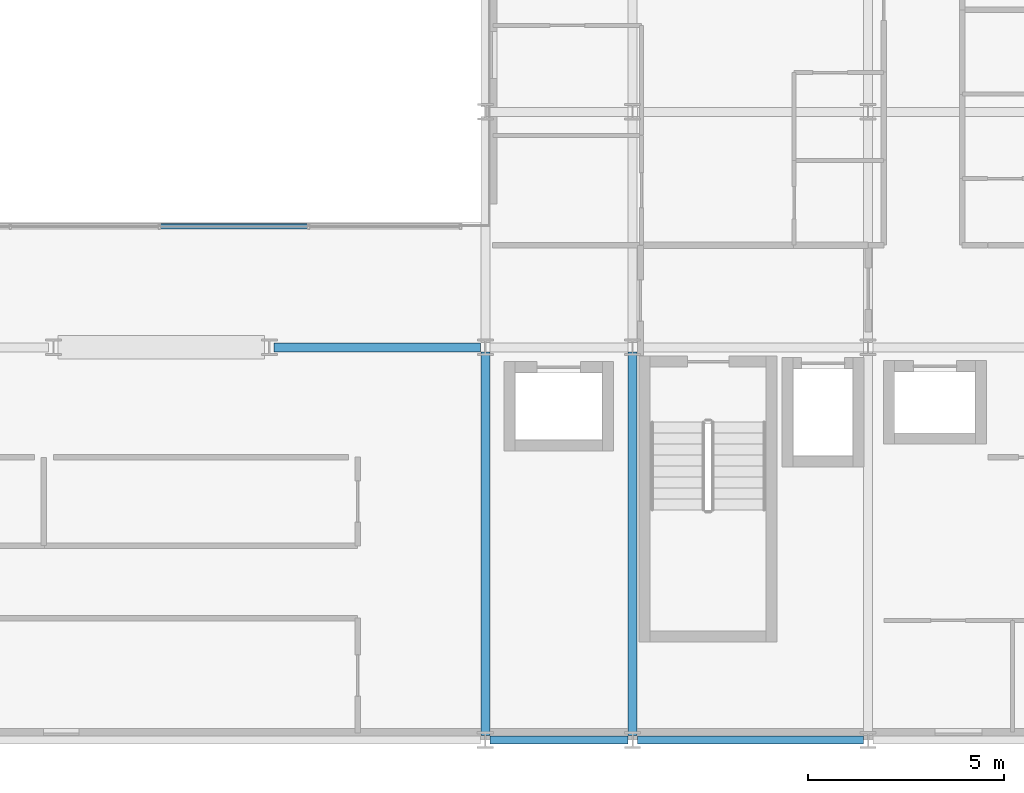
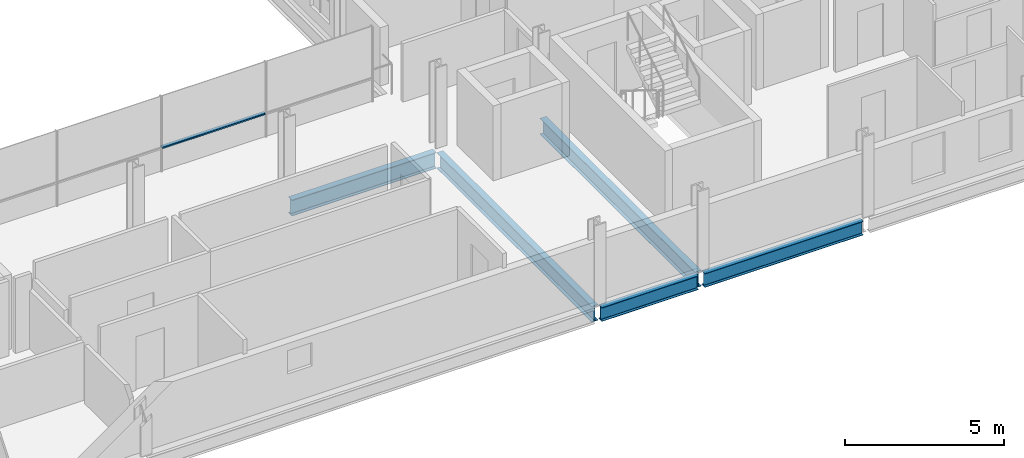
# One storey, part 12 of 38: 5 beams, 1 member, 1 element without a shape of its own.
"""IFC4 building model written with IfcOpenShell, lengths in metres."""

import ifcopenshell
import ifcopenshell.guid

model = None  # the IFC model being written
_history = None  # IfcOwnerHistory: only IFC2X3 demands one
_inside = {}  # id of a spatial element -> (the spatial element, [elements in it])
_under = {}  # id of a project, library or spatial element -> (it, [spatial elements below it])
_declared = {}  # id of a project -> (the project, [libraries it declares])
_typed = {}  # id of a type object -> (the type object, [elements of that type])
_made_of = {}  # id of a material, layer set ... -> (it, [elements and type objects made of it])


def new_model(schema):
    """Start an empty IFC model of exactly this schema.

    Asked for "IFC4X3", IfcOpenShell would pick the latest addendum, in which some entities
    have other attributes; the version numbers below select the first issue.
    IFC2X3 requires an IfcOwnerHistory on every rooted entity: one is made here for all.
    """
    global model, _history
    if schema == "IFC4X3":
        model = ifcopenshell.file(schema_version=(4, 3, 0, 0))
    else:
        model = ifcopenshell.file(schema=schema)
    _inside.clear()
    _under.clear()
    _declared.clear()
    _typed.clear()
    _made_of.clear()
    _history = None
    if model.schema == "IFC2X3":
        org = make("IfcOrganization", Name="unknown")
        user = make(
            "IfcPersonAndOrganization",
            ThePerson=make("IfcPerson", FamilyName="unknown"),
            TheOrganization=org,
        )
        app = make(
            "IfcApplication",
            ApplicationDeveloper=org,
            Version="unknown",
            ApplicationFullName="unknown",
            ApplicationIdentifier="unknown",
        )
        _history = make(
            "IfcOwnerHistory",
            OwningUser=user,
            OwningApplication=app,
            ChangeAction="ADDED",
            CreationDate=0,
        )
    return model


def make(cls, **values):
    """One entity of the class cls with the attributes given. An attribute that is None is left unset."""
    return model.create_entity(
        cls, **{name: value for name, value in values.items() if value is not None}
    )


def rooted(cls, **values):
    """An entity with a GlobalId (a new one), such as an element, a storey or a relation."""
    return make(cls, GlobalId=ifcopenshell.guid.new(), OwnerHistory=_history, **values)


def si_unit(unit_type, name, prefix=None):
    """IfcSIUnit, for example si_unit("LENGTHUNIT", "METRE", prefix="MILLI")."""
    return make("IfcSIUnit", UnitType=unit_type, Prefix=prefix, Name=name)


def assignment(units):
    """IfcUnitAssignment: the units of a project."""
    return None if units is None else make("IfcUnitAssignment", Units=units)


def point(xyz):
    """IfcCartesianPoint."""
    return None if xyz is None else make("IfcCartesianPoint", Coordinates=xyz)


def direction(xyz):
    """IfcDirection."""
    return None if xyz is None else make("IfcDirection", DirectionRatios=xyz)


def frame(location, z_axis=None, x_axis=None):
    """IfcAxis2Placement3D, a coordinate frame: its origin and axes. An axis left out is left unset."""
    return make(
        "IfcAxis2Placement3D",
        Location=point(location),
        Axis=direction(z_axis),
        RefDirection=direction(x_axis),
    )


def frame_2d(location, x_axis=None):
    """IfcAxis2Placement2D, a coordinate frame in the plane: its origin and x axis."""
    return make(
        "IfcAxis2Placement2D", Location=point(location), RefDirection=direction(x_axis)
    )


def origin():
    """The frame at (0, 0, 0) with its axes left unset."""
    return frame((0.0, 0.0, 0.0))


def origin_2d():
    """The frame at (0, 0) in the plane with its x axis left unset."""
    return frame_2d((0.0, 0.0))


def place(relative_to, where):
    """IfcLocalPlacement: puts the frame where relative to a parent placement (None: the world)."""
    return make(
        "IfcLocalPlacement", PlacementRelTo=relative_to, RelativePlacement=where
    )


def context(
    kind, dimensions, precision=None, world=None, true_north=None, identifier=None
):
    """IfcGeometricRepresentationContext, for example the 3D "Model" context."""
    return make(
        "IfcGeometricRepresentationContext",
        ContextIdentifier=identifier,
        ContextType=kind,
        CoordinateSpaceDimension=dimensions,
        Precision=precision,
        WorldCoordinateSystem=world,
        TrueNorth=true_north,
    )


def subcontext(parent, identifier, kind, view, scale=None):
    """IfcGeometricRepresentationSubContext, for example "Body" below "Model"."""
    return make(
        "IfcGeometricRepresentationSubContext",
        ContextIdentifier=identifier,
        ContextType=kind,
        ParentContext=parent,
        TargetScale=scale,
        TargetView=view,
    )


def project(units=None, contexts=None):
    """IfcProject with its units and contexts."""
    return rooted(
        "IfcProject",
        Name="project",
        RepresentationContexts=contexts,
        UnitsInContext=assignment(units),
    )


def spatial(cls, under=None, at=None, **own):
    """A site, building, storey or space (cls), placed at a placement, below another one or the project."""
    s = rooted(cls, ObjectPlacement=at, **own)
    if under is not None:
        _under.setdefault(under.id(), (under, []))[1].append(s)
    return s


def profile(cls, at=None, kind="AREA", **sizes):
    """A parametric profile (cls). Its sizes go by their IFC names, for example OverallWidth=200.0."""
    return make(cls, ProfileType=kind, Position=at, **sizes)


def hollow_rectangle(**sizes):
    """IfcRectangleHollowProfileDef."""
    return profile("IfcRectangleHollowProfileDef", **sizes)


def i_section(**sizes):
    """IfcIShapeProfileDef."""
    return profile("IfcIShapeProfileDef", **sizes)


def extrude(swept, where, along, depth):
    """IfcExtrudedAreaSolid: the profile swept, set in the frame where, extruded along a direction by depth."""
    return make(
        "IfcExtrudedAreaSolid",
        SweptArea=swept,
        Position=where,
        ExtrudedDirection=direction(along),
        Depth=depth,
    )


def shape(context_of_items, identifier, shape_type, items):
    """IfcShapeRepresentation: the items that make up one representation, for example the "Body"."""
    return make(
        "IfcShapeRepresentation",
        ContextOfItems=context_of_items,
        RepresentationIdentifier=identifier,
        RepresentationType=shape_type,
        Items=items,
    )


def material(Name=None, Category=None):
    """IfcMaterial."""
    return make("IfcMaterial", Name=Name, Category=Category)


def layer(
    of_material, thickness, ventilated=None, Name=None, Category=None, Priority=None
):
    """IfcMaterialLayer: one layer of a wall or slab, of a material (None: an air gap)."""
    return make(
        "IfcMaterialLayer",
        Material=of_material,
        LayerThickness=thickness,
        IsVentilated=ventilated,
        Name=Name,
        Category=Category,
        Priority=Priority,
    )


def layer_set(layers, Name=None):
    """IfcMaterialLayerSet."""
    return make("IfcMaterialLayerSet", MaterialLayers=layers, LayerSetName=Name)


def material_profile(
    of_material, cross_section, Name=None, Category=None, Priority=None
):
    """IfcMaterialProfile: a cross section and its material."""
    return make(
        "IfcMaterialProfile",
        Name=Name,
        Material=of_material,
        Profile=cross_section,
        Priority=Priority,
        Category=Category,
    )


def profile_set(profiles, Name=None, composite=None):
    """IfcMaterialProfileSet."""
    return make(
        "IfcMaterialProfileSet",
        Name=Name,
        MaterialProfiles=profiles,
        CompositeProfile=composite,
    )


def made_of(thing, what):
    """Note that an element or type object is made of a material, layer set ...; save() writes the relation."""
    if what is not None:
        _made_of.setdefault(what.id(), (what, []))[1].append(thing)
    return thing


def type_object(cls, material=None, **own):
    """A type object (cls), such as IfcWallType, which elements share."""
    return made_of(rooted(cls, **own), material)


def element(
    cls,
    number,
    at=None,
    inside=None,
    cuts=None,
    type_object=None,
    material=None,
    context=None,
    identifier="Body",
    shape_type=None,
    held_by="IfcProductDefinitionShape",
    body=None,
    shapes=None,
    **own,
):
    """One element of the class cls, such as IfcWall. Its Tag is "e" and its number.

    at: its placement. inside: the storey or other place that contains it. cuts: it is an
    opening in that element (IfcRelVoidsElement). A single representation is given by context,
    identifier, shape_type and body (its items); several are given by shapes. held_by: the class
    of the entity that holds the representations. save() writes the other relations.
    """
    e = rooted(cls, Tag="e%d" % number, ObjectPlacement=at, **own)
    if body is not None:
        shapes = [shape(context, identifier, shape_type, body)]
    if shapes is not None:
        e.Representation = make(held_by, Representations=shapes)
    if inside is not None:
        _inside.setdefault(inside.id(), (inside, []))[1].append(e)
    if cuts is not None:
        rooted(
            "IfcRelVoidsElement", RelatingBuildingElement=cuts, RelatedOpeningElement=e
        )
    if type_object is not None:
        _typed.setdefault(type_object.id(), (type_object, []))[1].append(e)
    return made_of(e, material)


def aggregate(whole, parts):
    """IfcRelAggregates: a whole, such as a stair, and the parts it consists of."""
    return rooted("IfcRelAggregates", RelatingObject=whole, RelatedObjects=parts)


def save(model, path):
    """Write the relations noted so far, then the file.

    IfcRelAggregates (storeys below a building ...), IfcRelContainedInSpatialStructure (elements
    in a storey), IfcRelDefinesByType, IfcRelAssociatesMaterial and IfcRelDeclares: one each for
    every whole, place, type object, material and project.
    """
    for whole, parts in _under.values():
        aggregate(whole, parts)
    for where, things in _inside.values():
        rooted(
            "IfcRelContainedInSpatialStructure",
            RelatedElements=things,
            RelatingStructure=where,
        )
    for kind, things in _typed.values():
        rooted("IfcRelDefinesByType", RelatedObjects=things, RelatingType=kind)
    for what, things in _made_of.values():
        rooted("IfcRelAssociatesMaterial", RelatedObjects=things, RelatingMaterial=what)
    for by, libraries in _declared.values():
        rooted("IfcRelDeclares", RelatingContext=by, RelatedDefinitions=libraries)
    model.write(path)


model = new_model("IFC4")

# Units and contexts
model_context = context("Model", 3, precision=1e-05, world=origin(), true_north=direction((0.0, 1.0)))
body_context = subcontext(model_context, "Body", "Model", "MODEL_VIEW")
ifc_project = project(units=[si_unit("LENGTHUNIT", "METRE"), si_unit("AREAUNIT", "SQUARE_METRE"), si_unit("VOLUMEUNIT", "CUBIC_METRE"), si_unit("PLANEANGLEUNIT", "RADIAN"), si_unit("MASSUNIT", "GRAM", prefix="KILO")], contexts=[model_context])

# Site, building, storey
site_placement = place(None, origin())
site = spatial("IfcSite", under=ifc_project, at=site_placement, CompositionType="ELEMENT")
building_placement = place(site_placement, origin())
building = spatial("IfcBuilding", under=site, at=building_placement, Name="Brevholm Reach", CompositionType="ELEMENT")
storey_placement = place(building_placement, frame((0.0, 0.0, 122.10009765625)))
storey = spatial("IfcBuildingStorey", under=building, at=storey_placement, Name="L36", CompositionType="ELEMENT", Elevation=122.10009765625)

# Beams
ifc_material_1 = material(Name="Structural Steel S355J2", Category="steel")
ifc_material_profile_1 = material_profile(ifc_material_1, i_section(OverallWidth=0.209228515625, OverallDepth=0.533203125, WebThickness=0.010009765625, FlangeThickness=0.015625, FilletRadius=0.0126953125, at=origin_2d()), Name="UKB 533x210x92")
ifc_profile_set_1 = profile_set([ifc_material_profile_1], Name="Structural Steel S355J2")
beam_type_1 = type_object("IfcBeamType", Name="BM-SP533", PredefinedType="SPANDREL", material=ifc_profile_set_1)
beam_1_placement = place(storey_placement, frame((38.3701171875, 0.0, -0.486572265625), z_axis=(1.0, 0.0, 0.0), x_axis=(0.0, 1.0, 0.0)))
element("IfcBeam", 1, at=beam_1_placement, inside=storey, type_object=beam_type_1, Name="L36 SP-02 Framing Beam", PredefinedType="SPANDREL", context=body_context, shape_type="SweptSolid", body=[
    extrude(i_section(OverallWidth=0.209228515625, OverallDepth=0.533203125, WebThickness=0.010009765625, FlangeThickness=0.015625, FilletRadius=0.0126953125, at=origin_2d()), origin(), (0.0, 0.0, 1.0), 3.509765625),
])
beam_2_placement = place(storey_placement, frame((42.1201171875, 0.0, -0.486572265625), z_axis=(1.0, 0.0, 0.0), x_axis=(0.0, 1.0, 0.0)))
element("IfcBeam", 2, at=beam_2_placement, inside=storey, type_object=beam_type_1, Name="L36 SP-02 Framing Beam", PredefinedType="SPANDREL", context=body_context, shape_type="SweptSolid", body=[
    extrude(i_section(OverallWidth=0.209228515625, OverallDepth=0.533203125, WebThickness=0.010009765625, FlangeThickness=0.015625, FilletRadius=0.0126953125, at=origin_2d()), origin(), (0.0, 0.0, 1.0), 5.759765625),
])
ifc_material_2 = material(Name="Structural Steel S355J2", Category="steel")
ifc_material_profile_2 = material_profile(ifc_material_2, i_section(OverallWidth=0.22900390625, OverallDepth=0.6123046875, WebThickness=0.011962890625, FlangeThickness=0.01953125, FilletRadius=0.0126953125, at=origin_2d()), Name="UKB 610x229x125")
ifc_profile_set_2 = profile_set([ifc_material_profile_2], Name="Structural Steel S355J2")
beam_type_2 = type_object("IfcBeamType", Name="BM-SP610", PredefinedType="SPANDREL", material=ifc_profile_set_2)
beam_3_placement = place(storey_placement, frame((32.8701171875, 10.0, -0.526123046875), z_axis=(1.0, 0.0, 0.0), x_axis=(0.0, 1.0, 0.0)))
element("IfcBeam", 3, at=beam_3_placement, inside=storey, type_object=beam_type_2, Name="L36 SP-01 Framing Beam", PredefinedType="SPANDREL", context=body_context, shape_type="SweptSolid", body=[
    extrude(i_section(OverallWidth=0.22900390625, OverallDepth=0.6123046875, WebThickness=0.011962890625, FlangeThickness=0.01953125, FilletRadius=0.0126953125, at=origin_2d()), origin(), (0.0, 0.0, 1.0), 5.259765625),
])
for number, where, z_axis, x_axis, name in (
    (4, (38.25, 0.1201171875, -0.526123046875), (0.0, 1.0, 0.0), (-1.0, 0.0, 0.0), "L36 SP-01 Framing Beam"),
    (5, (42.0, 0.1201171875, -0.526123046875), (0.0, 1.0, 0.0), (-1.0, 0.0, 0.0), "L36 SP-01 Framing Beam"),
):
    element("IfcBeam", number, at=place(storey_placement, frame(where, z_axis=z_axis, x_axis=x_axis)), inside=storey, type_object=beam_type_2, Name=name, PredefinedType="SPANDREL", context=body_context, shape_type="SweptSolid", body=[
        extrude(i_section(OverallWidth=0.22900390625, OverallDepth=0.6123046875, WebThickness=0.011962890625, FlangeThickness=0.01953125, FilletRadius=0.0126953125, at=origin_2d()), origin(), (0.0, 0.0, 1.0), 9.759765625),
    ])

# Curtain wall, member
ifc_material_3 = material(Name="Dark Anodised Aluminium 6063-T6 and Solar-Control Glass", Category="aluminium")
ifc_layer = layer(ifc_material_3, 0.139892578125)
ifc_layer_set = layer_set([ifc_layer], Name="Dark Anodised Aluminium 6063-T6 and Solar-Control Glass")
curtain_wall_type = type_object("IfcCurtainWallType", Name="CW-02", PredefinedType="NOTDEFINED", material=ifc_layer_set)
curtain_wall_placement = place(storey_placement, origin())
curtain_wall = element("IfcCurtainWall", 6, at=curtain_wall_placement, inside=storey, type_object=curtain_wall_type, Name="L36 Curtain Wall CW-02", PredefinedType="NOTDEFINED")
ifc_material_4 = material(Name="Dark Anodised Aluminium 6063-T6", Category="aluminium")
ifc_material_profile_3 = material_profile(ifc_material_4, hollow_rectangle(XDim=0.06005859375, YDim=0.139892578125, WallThickness=0.0048828125, InnerFilletRadius=0.0048828125, OuterFilletRadius=0.010009765625, at=origin_2d()), Name="RHS 140x60x5")
ifc_profile_set_3 = profile_set([ifc_material_profile_3], Name="Dark Anodised Aluminium 6063-T6")
member_type = type_object("IfcMemberType", Name="CWT-140", PredefinedType="NOTDEFINED", material=ifc_profile_set_3)
member_placement = place(storey_placement, frame((29.97998046875, 13.080078125, 0.89990234375), z_axis=(1.0, 0.0, 0.0), x_axis=(0.0, 0.0, 1.0)))
member = element("IfcMember", 7, at=member_placement, type_object=member_type, Name="CT-140 Transom 3.1", ObjectType="TRANSOM", PredefinedType="USERDEFINED", context=body_context, shape_type="SweptSolid", body=[
    extrude(hollow_rectangle(XDim=0.06005859375, YDim=0.139892578125, WallThickness=0.0048828125, InnerFilletRadius=0.0048828125, OuterFilletRadius=0.010009765625, at=origin_2d()), origin(), (0.0, 0.0, 1.0), 3.739990234375),
])
aggregate(curtain_wall, [member])

save(model, "model.ifc")
